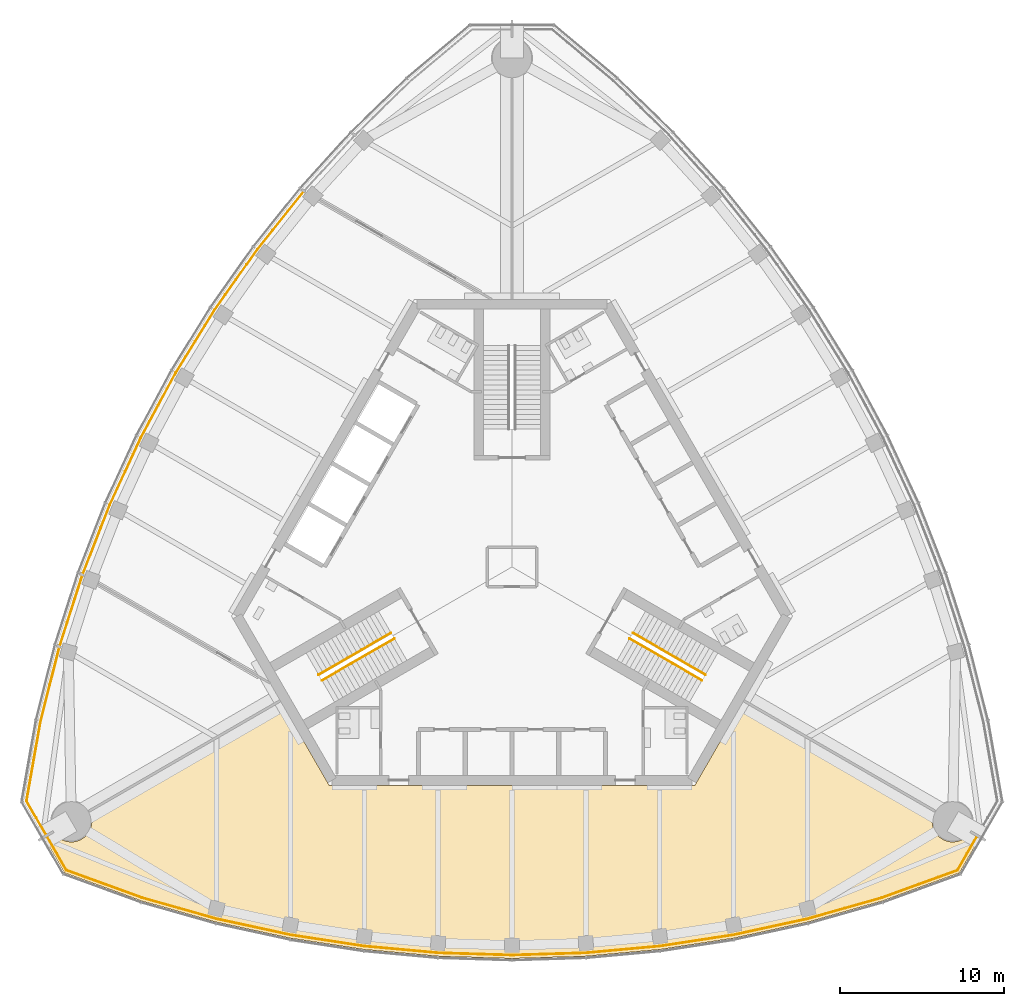
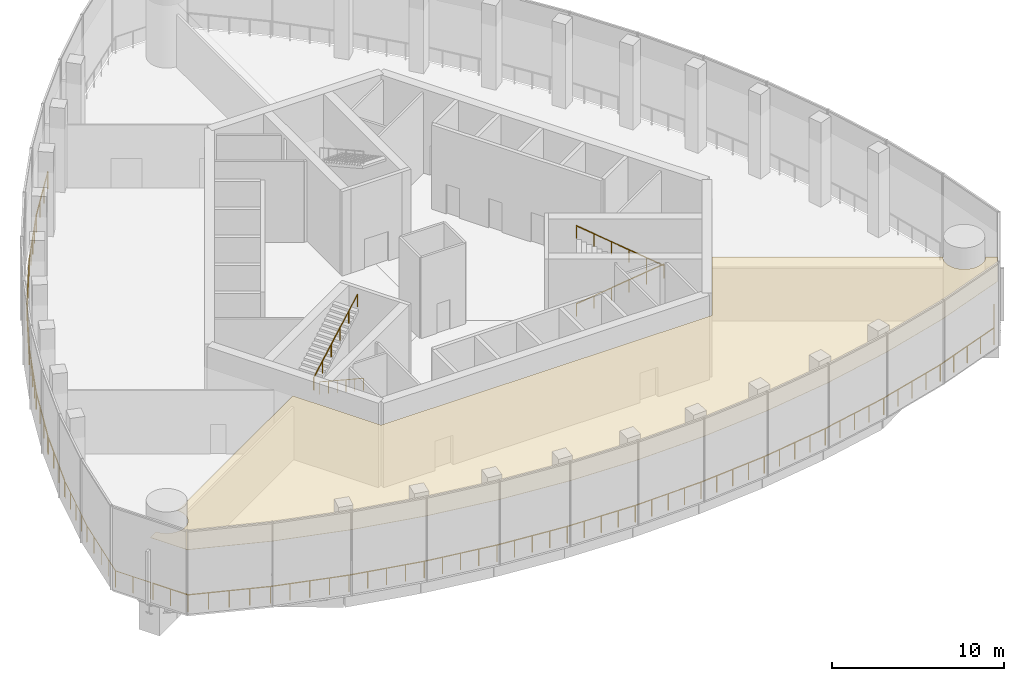
# One storey, part 12 of 15: 8 railings, 1 covering.
"""IFC4 building model written with IfcOpenShell, lengths in metres."""

from ifc_helpers import new_model, si_unit, direction, frame, origin, origin_2d, place, context, subcontext, project, spatial, polyline, circle, outline, extrude, material, layer, layer_set, type_object, element, save


model = new_model("IFC4")

# Units and contexts
model_context = context("Model", 3, precision=1e-05, world=origin(), true_north=direction((0.0, 1.0)))
body_context = subcontext(model_context, "Body", "Model", "MODEL_VIEW")
ifc_project = project(units=[si_unit("LENGTHUNIT", "METRE"), si_unit("AREAUNIT", "SQUARE_METRE"), si_unit("VOLUMEUNIT", "CUBIC_METRE"), si_unit("PLANEANGLEUNIT", "RADIAN"), si_unit("MASSUNIT", "GRAM", prefix="KILO")], contexts=[model_context])

# Site, building, storey
site_placement = place(None, origin())
site = spatial("IfcSite", under=ifc_project, at=site_placement, CompositionType="ELEMENT")
building_placement = place(site_placement, origin())
building = spatial("IfcBuilding", under=site, at=building_placement, Name="Trefoil Bronze Tower", CompositionType="ELEMENT")
storey_placement = place(building_placement, frame((0.0, 0.0, 322.5)))
storey = spatial("IfcBuildingStorey", under=building, at=storey_placement, Name="L74", CompositionType="ELEMENT", Elevation=322.5)

# Covering
ifc_material_1 = material(Name="Bronze metal ceiling panels", Category="metal")
ifc_layer = layer(ifc_material_1, 0.02001953125)
ifc_layer_set = layer_set([ifc_layer], Name="Feature ceiling 20")
covering_type = type_object("IfcCoveringType", Name="Feature ceiling 20", PredefinedType="CEILING", material=ifc_layer_set)
covering_placement = place(storey_placement, frame((0.0, 0.0, 4.5)))
element("IfcCovering", 1, at=covering_placement, inside=storey, type_object=covering_type, Name="Ceiling L74-024", PredefinedType="CEILING", context=body_context, shape_type="SweptSolid", body=[
    extrude(outline(polyline([(-27.885986328125, -16.194580078125), (-27.850830078125, -16.24462890625), (-27.81298828125, -16.29296875), (-27.77294921875, -16.33935546875), (-27.730712890625, -16.3837890625), (-27.686279296875, -16.42626953125), (-27.639892578125, -16.46630859375), (-27.59130859375, -16.50390625), (-27.541259765625, -16.539306640625), (-27.489501953125, -16.572265625), (-27.43603515625, -16.602294921875), (-27.381103515625, -16.6298828125), (-27.3251953125, -16.65478515625), (-27.267822265625, -16.677001953125), (-27.209716796875, -16.6962890625), (-27.150390625, -16.71240234375), (-27.0908203125, -16.72607421875), (-27.0302734375, -16.736572265625), (-26.96923828125, -16.743896484375), (-26.908203125, -16.74853515625), (-26.8466796875, -16.75), (-26.785400390625, -16.74853515625), (-26.724365234375, -16.743896484375), (-26.663330078125, -16.736572265625), (-26.602783203125, -16.72607421875), (-26.543212890625, -16.71240234375), (-26.48388671875, -16.6962890625), (-26.42578125, -16.677001953125), (-26.368408203125, -16.65478515625), (-26.312255859375, -16.6298828125), (-26.257568359375, -16.602294921875), (-26.2041015625, -16.572265625), (-26.15234375, -16.539306640625), (-26.102294921875, -16.50390625), (-26.0537109375, -16.46630859375), (-26.00732421875, -16.42626953125), (-25.962890625, -16.3837890625), (-25.920654296875, -16.33935546875), (-25.880615234375, -16.29296875), (-25.8427734375, -16.24462890625), (-25.8076171875, -16.194580078125), (-25.774658203125, -16.142578125), (-25.744384765625, -16.089111328125), (-25.716796875, -16.034423828125), (-25.69189453125, -15.978515625), (-25.669921875, -15.921142578125), (-25.650634765625, -15.86279296875), (-25.63427734375, -15.8037109375), (-25.620849609375, -15.743896484375), (-25.6103515625, -15.683349609375), (-25.602783203125, -15.62255859375), (-25.598388671875, -15.561279296875), (-25.5966796875, -15.5), (-25.598388671875, -15.438720703125), (-25.602783203125, -15.37744140625), (-25.6103515625, -15.316650390625), (-25.620849609375, -15.256103515625), (-25.63427734375, -15.1962890625), (-25.650634765625, -15.13720703125), (-25.669921875, -15.078857421875), (-25.69189453125, -15.021484375), (-25.716796875, -14.965576171875), (-25.759033203125, -14.885009765625), (-14.11328125, -8.1552734375), (-11.142822265625, -13.300048828125), (11.142822265625, -13.300048828125), (14.11328125, -8.1552734375), (25.759033203125, -14.885009765625), (25.716796875, -14.965576171875), (25.69189453125, -15.021484375), (25.669921875, -15.078857421875), (25.650634765625, -15.13720703125), (25.63427734375, -15.1962890625), (25.620849609375, -15.256103515625), (25.6103515625, -15.316650390625), (25.602783203125, -15.37744140625), (25.598388671875, -15.438720703125), (25.5966796875, -15.5), (25.598388671875, -15.561279296875), (25.602783203125, -15.62255859375), (25.6103515625, -15.683349609375), (25.620849609375, -15.743896484375), (25.63427734375, -15.8037109375), (25.650634765625, -15.86279296875), (25.669921875, -15.921142578125), (25.69189453125, -15.978515625), (25.716796875, -16.034423828125), (25.744384765625, -16.089111328125), (25.774658203125, -16.142578125), (25.8076171875, -16.194580078125), (25.8427734375, -16.24462890625), (25.880615234375, -16.29296875), (25.920654296875, -16.33935546875), (25.962890625, -16.3837890625), (26.00732421875, -16.42626953125), (26.0537109375, -16.46630859375), (26.102294921875, -16.50390625), (26.15234375, -16.539306640625), (26.2041015625, -16.572265625), (26.257568359375, -16.602294921875), (26.312255859375, -16.6298828125), (26.368408203125, -16.65478515625), (26.42578125, -16.677001953125), (26.48388671875, -16.6962890625), (26.543212890625, -16.71240234375), (26.602783203125, -16.72607421875), (26.663330078125, -16.736572265625), (26.724365234375, -16.743896484375), (26.785400390625, -16.74853515625), (26.8466796875, -16.75), (26.908203125, -16.74853515625), (26.96923828125, -16.743896484375), (27.0302734375, -16.736572265625), (27.0908203125, -16.72607421875), (27.150390625, -16.71240234375), (27.209716796875, -16.6962890625), (27.267822265625, -16.677001953125), (27.3251953125, -16.65478515625), (27.381103515625, -16.6298828125), (27.43603515625, -16.602294921875), (27.489501953125, -16.572265625), (27.541259765625, -16.539306640625), (27.59130859375, -16.50390625), (27.639892578125, -16.46630859375), (27.686279296875, -16.42626953125), (27.730712890625, -16.3837890625), (27.77294921875, -16.33935546875), (27.81298828125, -16.29296875), (27.850830078125, -16.24462890625), (27.885986328125, -16.194580078125), (27.923095703125, -16.135498046875), (28.510009765625, -16.474609375), (27.26220703125, -18.635986328125), (22.54833984375, -20.3515625), (18.0, -21.640869140625), (13.5, -22.6162109375), (9.0, -23.30517578125), (4.5, -23.71533203125), (0.0, -23.8515625), (-4.5, -23.71533203125), (-9.0, -23.30517578125), (-13.5, -22.6162109375), (-18.0, -21.640869140625), (-22.54833984375, -20.3515625), (-27.26220703125, -18.635986328125), (-28.510009765625, -16.474609375), (-27.923095703125, -16.135498046875), (-27.885986328125, -16.194580078125)])), origin(), (0.0, 0.0, 1.0), 0.02001953125),
])

# Railings
ifc_material_2 = material(Name="Bronze-finish steel guard rail and posts", Category="steel")
railing_type_1 = type_object("IfcRailingType", Name="Glazing guard 1200", PredefinedType="GUARDRAIL", material=ifc_material_2)
railing_1_placement = place(storey_placement, frame((-26.1865234375, -0.556396484375, 0.0)))
element("IfcRailing", 2, at=railing_1_placement, inside=storey, type_object=railing_type_1, Name="Glazing guard L74.1", PredefinedType="GUARDRAIL", context=body_context, shape_type="SweptSolid", body=[
    extrude(circle(Radius=0.02392578125, at=origin_2d()), frame((0.0, 0.0, 1.17578125), z_axis=(-0.305197637191, -0.952289032938, 0.0), x_axis=(0.952289032938, -0.305197637191, 0.0)), (0.0, 0.0, 1.0), 4.450927734375),
    extrude(circle(Radius=0.02099609375, at=origin_2d()), origin(), (0.0, 0.0, 1.0), 1.15185546875),
    extrude(circle(Radius=0.02099609375, at=origin_2d()), frame((-0.452880859375, -1.412841796875, 0.0)), (0.0, 0.0, 1.0), 1.15185546875),
    extrude(circle(Radius=0.02099609375, at=origin_2d()), frame((-0.905517578125, -2.82568359375, 0.0)), (0.0, 0.0, 1.0), 1.15185546875),
    extrude(circle(Radius=0.02099609375, at=origin_2d()), frame((-1.3583984375, -4.238525390625, 0.0)), (0.0, 0.0, 1.0), 1.15185546875),
])
railing_2_placement = place(storey_placement, frame((-27.58740234375, -4.943603515625, 0.0)))
element("IfcRailing", 3, at=railing_2_placement, inside=storey, type_object=railing_type_1, Name="Glazing guard L74.2", PredefinedType="GUARDRAIL", context=body_context, shape_type="SweptSolid", body=[
    extrude(circle(Radius=0.02392578125, at=origin_2d()), frame((0.0, 0.0, 1.17578125), z_axis=(-0.244845293905, -0.969562159974, 0.0), x_axis=(0.969562159974, -0.244845293905, 0.0)), (0.0, 0.0, 1.0), 4.649658203125),
    extrude(circle(Radius=0.02392578125, at=origin_2d()), frame((-1.138427734375, -4.508056640625, 1.17578125), z_axis=(-0.173674011699, -0.984803197426, 0.0), x_axis=(0.984803197426, -0.173674011699, 0.0)), (0.0, 0.0, 1.0), 4.87939453125),
    extrude(circle(Radius=0.02392578125, at=origin_2d()), frame((-1.98583984375, -9.313232421875, 1.17578125), z_axis=(0.499969694265, -0.866042900102, 0.0), x_axis=(0.866042900102, 0.499969694265, 0.0)), (0.0, 0.0, 1.0), 2.364990234375),
    extrude(circle(Radius=0.02099609375, at=origin_2d()), origin(), (0.0, 0.0, 1.0), 1.15185546875),
    extrude(circle(Radius=0.02099609375, at=origin_2d()), frame((-0.28466796875, -1.126953125, 0.0)), (0.0, 0.0, 1.0), 1.15185546875),
    extrude(circle(Radius=0.02099609375, at=origin_2d()), frame((-0.5693359375, -2.25390625, 0.0)), (0.0, 0.0, 1.0), 1.15185546875),
    extrude(circle(Radius=0.02099609375, at=origin_2d()), frame((-0.853759765625, -3.381103515625, 0.0)), (0.0, 0.0, 1.0), 1.15185546875),
    extrude(circle(Radius=0.02099609375, at=origin_2d()), frame((-1.138427734375, -4.508056640625, 0.0)), (0.0, 0.0, 1.0), 1.15185546875),
    extrude(circle(Radius=0.02099609375, at=origin_2d()), frame((-1.350341796875, -5.70947265625, 0.0)), (0.0, 0.0, 1.0), 1.15185546875),
    extrude(circle(Radius=0.02099609375, at=origin_2d()), frame((-1.56201171875, -6.91064453125, 0.0)), (0.0, 0.0, 1.0), 1.15185546875),
    extrude(circle(Radius=0.02099609375, at=origin_2d()), frame((-1.77392578125, -8.11181640625, 0.0)), (0.0, 0.0, 1.0), 1.15185546875),
    extrude(circle(Radius=0.02099609375, at=origin_2d()), frame((-1.98583984375, -9.313232421875, 0.0)), (0.0, 0.0, 1.0), 1.15185546875),
    extrude(circle(Radius=0.02099609375, at=origin_2d()), frame((-1.39453125, -10.33740234375, 0.0)), (0.0, 0.0, 1.0), 1.15185546875),
    extrude(circle(Radius=0.02099609375, at=origin_2d()), frame((-0.803466796875, -11.361328125, 0.0)), (0.0, 0.0, 1.0), 1.15185546875),
])
railing_3_placement = place(storey_placement, frame((-28.31591796875, -16.434814453125, 0.0)))
element("IfcRailing", 4, at=railing_3_placement, inside=storey, type_object=railing_type_1, Name="Glazing guard L74.3", PredefinedType="GUARDRAIL", context=body_context, shape_type="SweptSolid", body=[
    extrude(circle(Radius=0.02392578125, at=origin_2d()), frame((0.0, 0.0, 1.17578125), z_axis=(0.500014398087, -0.866017090885, 0.0), x_axis=(0.866017090885, 0.500014398087, 0.0)), (0.0, 0.0, 1.0), 2.36474609375),
    extrude(circle(Radius=0.02392578125, at=origin_2d()), frame((1.182373046875, -2.0478515625, 1.17578125), z_axis=(0.939688198053, -0.342032294441, 0.0), x_axis=(0.342032294441, 0.939688198053, 0.0)), (0.0, 0.0, 1.0), 4.87939453125),
    extrude(circle(Radius=0.02392578125, at=origin_2d()), frame((5.767578125, -3.716796875, 1.17578125), z_axis=(0.962092857379, -0.272722081579, 0.0), x_axis=(0.272722081579, 0.962092857379, 0.0)), (0.0, 0.0, 1.0), 4.7275390625),
    extrude(circle(Radius=0.02392578125, at=origin_2d()), frame((10.31591796875, -5.006103515625, 1.17578125), z_axis=(0.977307775185, -0.211824249233, 0.0), x_axis=(0.211824249233, 0.977307775185, 0.0)), (0.0, 0.0, 1.0), 4.6044921875),
    extrude(circle(Radius=0.02392578125, at=origin_2d()), frame((14.81591796875, -5.9814453125, 1.17578125), z_axis=(0.988481794406, -0.151339823341, 0.0), x_axis=(0.151339823341, 0.988481794406, 0.0)), (0.0, 0.0, 1.0), 4.552490234375),
    extrude(circle(Radius=0.02392578125, at=origin_2d()), frame((19.31591796875, -6.67041015625, 1.17578125), z_axis=(0.995871921504, -0.090769576179, 0.0), x_axis=(0.090769576179, 0.995871921504, 0.0)), (0.0, 0.0, 1.0), 4.5185546875),
    extrude(circle(Radius=0.02392578125, at=origin_2d()), frame((23.81591796875, -7.08056640625, 1.17578125), z_axis=(0.999542074227, -0.030259574513, 0.0), x_axis=(0.030259574513, 0.999542074227, 0.0)), (0.0, 0.0, 1.0), 4.501953125),
    extrude(circle(Radius=0.02392578125, at=origin_2d()), frame((28.31591796875, -7.216796875, 1.17578125), z_axis=(0.999542074227, 0.030259574513, 0.0), x_axis=(-0.030259574513, 0.999542074227, 0.0)), (0.0, 0.0, 1.0), 4.501953125),
    extrude(circle(Radius=0.02392578125, at=origin_2d()), frame((32.81591796875, -7.08056640625, 1.17578125), z_axis=(0.995871921504, 0.090769576179, 0.0), x_axis=(-0.090769576179, 0.995871921504, 0.0)), (0.0, 0.0, 1.0), 4.5185546875),
    extrude(circle(Radius=0.02392578125, at=origin_2d()), frame((37.31591796875, -6.67041015625, 1.17578125), z_axis=(0.988481794406, 0.151339823341, 0.0), x_axis=(-0.151339823341, 0.988481794406, 0.0)), (0.0, 0.0, 1.0), 4.552490234375),
    extrude(circle(Radius=0.02392578125, at=origin_2d()), frame((41.81591796875, -5.9814453125, 1.17578125), z_axis=(0.977307775185, 0.211824249233, 0.0), x_axis=(-0.211824249233, 0.977307775185, 0.0)), (0.0, 0.0, 1.0), 4.6044921875),
    extrude(circle(Radius=0.02392578125, at=origin_2d()), frame((46.31591796875, -5.006103515625, 1.17578125), z_axis=(0.962092857379, 0.272722081579, 0.0), x_axis=(-0.272722081579, 0.962092857379, 0.0)), (0.0, 0.0, 1.0), 4.7275390625),
    extrude(circle(Radius=0.02392578125, at=origin_2d()), frame((50.8642578125, -3.716796875, 1.17578125), z_axis=(0.939688198053, 0.342032294441, 0.0), x_axis=(-0.342032294441, 0.939688198053, 0.0)), (0.0, 0.0, 1.0), 4.87939453125),
    extrude(circle(Radius=0.02392578125, at=origin_2d()), frame((55.449462890625, -2.0478515625, 1.17578125), z_axis=(0.500014398087, 0.866017090885, 0.0), x_axis=(-0.866017090885, 0.500014398087, 0.0)), (0.0, 0.0, 1.0), 2.36474609375),
    extrude(circle(Radius=0.02099609375, at=origin_2d()), origin(), (0.0, 0.0, 1.0), 1.15185546875),
    extrude(circle(Radius=0.02099609375, at=origin_2d()), frame((0.59130859375, -1.02392578125, 0.0)), (0.0, 0.0, 1.0), 1.15185546875),
    extrude(circle(Radius=0.02099609375, at=origin_2d()), frame((1.182373046875, -2.0478515625, 0.0)), (0.0, 0.0, 1.0), 1.15185546875),
    extrude(circle(Radius=0.02099609375, at=origin_2d()), frame((2.32861328125, -2.465087890625, 0.0)), (0.0, 0.0, 1.0), 1.15185546875),
    extrude(circle(Radius=0.02099609375, at=origin_2d()), frame((3.47509765625, -2.88232421875, 0.0)), (0.0, 0.0, 1.0), 1.15185546875),
    extrude(circle(Radius=0.02099609375, at=origin_2d()), frame((4.621337890625, -3.299560546875, 0.0)), (0.0, 0.0, 1.0), 1.15185546875),
    extrude(circle(Radius=0.02099609375, at=origin_2d()), frame((5.767578125, -3.716796875, 0.0)), (0.0, 0.0, 1.0), 1.15185546875),
    extrude(circle(Radius=0.02099609375, at=origin_2d()), frame((6.90478515625, -4.0390625, 0.0)), (0.0, 0.0, 1.0), 1.15185546875),
    extrude(circle(Radius=0.02099609375, at=origin_2d()), frame((8.041748046875, -4.361328125, 0.0)), (0.0, 0.0, 1.0), 1.15185546875),
    extrude(circle(Radius=0.02099609375, at=origin_2d()), frame((9.1787109375, -4.683837890625, 0.0)), (0.0, 0.0, 1.0), 1.15185546875),
    extrude(circle(Radius=0.02099609375, at=origin_2d()), frame((10.31591796875, -5.006103515625, 0.0)), (0.0, 0.0, 1.0), 1.15185546875),
    extrude(circle(Radius=0.02099609375, at=origin_2d()), frame((11.44091796875, -5.25, 0.0)), (0.0, 0.0, 1.0), 1.15185546875),
    extrude(circle(Radius=0.02099609375, at=origin_2d()), frame((12.56591796875, -5.49365234375, 0.0)), (0.0, 0.0, 1.0), 1.15185546875),
    extrude(circle(Radius=0.02099609375, at=origin_2d()), frame((13.69091796875, -5.737548828125, 0.0)), (0.0, 0.0, 1.0), 1.15185546875),
    extrude(circle(Radius=0.02099609375, at=origin_2d()), frame((14.81591796875, -5.9814453125, 0.0)), (0.0, 0.0, 1.0), 1.15185546875),
    extrude(circle(Radius=0.02099609375, at=origin_2d()), frame((15.94091796875, -6.15380859375, 0.0)), (0.0, 0.0, 1.0), 1.15185546875),
    extrude(circle(Radius=0.02099609375, at=origin_2d()), frame((17.06591796875, -6.325927734375, 0.0)), (0.0, 0.0, 1.0), 1.15185546875),
    extrude(circle(Radius=0.02099609375, at=origin_2d()), frame((18.19091796875, -6.498046875, 0.0)), (0.0, 0.0, 1.0), 1.15185546875),
    extrude(circle(Radius=0.02099609375, at=origin_2d()), frame((19.31591796875, -6.67041015625, 0.0)), (0.0, 0.0, 1.0), 1.15185546875),
    extrude(circle(Radius=0.02099609375, at=origin_2d()), frame((20.44091796875, -6.77294921875, 0.0)), (0.0, 0.0, 1.0), 1.15185546875),
    extrude(circle(Radius=0.02099609375, at=origin_2d()), frame((21.56591796875, -6.87548828125, 0.0)), (0.0, 0.0, 1.0), 1.15185546875),
    extrude(circle(Radius=0.02099609375, at=origin_2d()), frame((22.69091796875, -6.97802734375, 0.0)), (0.0, 0.0, 1.0), 1.15185546875),
    extrude(circle(Radius=0.02099609375, at=origin_2d()), frame((23.81591796875, -7.08056640625, 0.0)), (0.0, 0.0, 1.0), 1.15185546875),
    extrude(circle(Radius=0.02099609375, at=origin_2d()), frame((24.94091796875, -7.11474609375, 0.0)), (0.0, 0.0, 1.0), 1.15185546875),
    extrude(circle(Radius=0.02099609375, at=origin_2d()), frame((26.06591796875, -7.148681640625, 0.0)), (0.0, 0.0, 1.0), 1.15185546875),
    extrude(circle(Radius=0.02099609375, at=origin_2d()), frame((27.19091796875, -7.1826171875, 0.0)), (0.0, 0.0, 1.0), 1.15185546875),
    extrude(circle(Radius=0.02099609375, at=origin_2d()), frame((28.31591796875, -7.216796875, 0.0)), (0.0, 0.0, 1.0), 1.15185546875),
    extrude(circle(Radius=0.02099609375, at=origin_2d()), frame((29.44091796875, -7.1826171875, 0.0)), (0.0, 0.0, 1.0), 1.15185546875),
    extrude(circle(Radius=0.02099609375, at=origin_2d()), frame((30.56591796875, -7.148681640625, 0.0)), (0.0, 0.0, 1.0), 1.15185546875),
    extrude(circle(Radius=0.02099609375, at=origin_2d()), frame((31.69091796875, -7.11474609375, 0.0)), (0.0, 0.0, 1.0), 1.15185546875),
    extrude(circle(Radius=0.02099609375, at=origin_2d()), frame((32.81591796875, -7.08056640625, 0.0)), (0.0, 0.0, 1.0), 1.15185546875),
    extrude(circle(Radius=0.02099609375, at=origin_2d()), frame((33.94091796875, -6.97802734375, 0.0)), (0.0, 0.0, 1.0), 1.15185546875),
    extrude(circle(Radius=0.02099609375, at=origin_2d()), frame((35.06591796875, -6.87548828125, 0.0)), (0.0, 0.0, 1.0), 1.15185546875),
    extrude(circle(Radius=0.02099609375, at=origin_2d()), frame((36.19091796875, -6.77294921875, 0.0)), (0.0, 0.0, 1.0), 1.15185546875),
    extrude(circle(Radius=0.02099609375, at=origin_2d()), frame((37.31591796875, -6.67041015625, 0.0)), (0.0, 0.0, 1.0), 1.15185546875),
    extrude(circle(Radius=0.02099609375, at=origin_2d()), frame((38.44091796875, -6.498046875, 0.0)), (0.0, 0.0, 1.0), 1.15185546875),
    extrude(circle(Radius=0.02099609375, at=origin_2d()), frame((39.56591796875, -6.325927734375, 0.0)), (0.0, 0.0, 1.0), 1.15185546875),
    extrude(circle(Radius=0.02099609375, at=origin_2d()), frame((40.69091796875, -6.15380859375, 0.0)), (0.0, 0.0, 1.0), 1.15185546875),
    extrude(circle(Radius=0.02099609375, at=origin_2d()), frame((41.81591796875, -5.9814453125, 0.0)), (0.0, 0.0, 1.0), 1.15185546875),
    extrude(circle(Radius=0.02099609375, at=origin_2d()), frame((42.94091796875, -5.737548828125, 0.0)), (0.0, 0.0, 1.0), 1.15185546875),
    extrude(circle(Radius=0.02099609375, at=origin_2d()), frame((44.06591796875, -5.49365234375, 0.0)), (0.0, 0.0, 1.0), 1.15185546875),
    extrude(circle(Radius=0.02099609375, at=origin_2d()), frame((45.19091796875, -5.25, 0.0)), (0.0, 0.0, 1.0), 1.15185546875),
    extrude(circle(Radius=0.02099609375, at=origin_2d()), frame((46.31591796875, -5.006103515625, 0.0)), (0.0, 0.0, 1.0), 1.15185546875),
    extrude(circle(Radius=0.02099609375, at=origin_2d()), frame((47.453125, -4.683837890625, 0.0)), (0.0, 0.0, 1.0), 1.15185546875),
    extrude(circle(Radius=0.02099609375, at=origin_2d()), frame((48.590087890625, -4.361328125, 0.0)), (0.0, 0.0, 1.0), 1.15185546875),
    extrude(circle(Radius=0.02099609375, at=origin_2d()), frame((49.72705078125, -4.0390625, 0.0)), (0.0, 0.0, 1.0), 1.15185546875),
    extrude(circle(Radius=0.02099609375, at=origin_2d()), frame((50.8642578125, -3.716796875, 0.0)), (0.0, 0.0, 1.0), 1.15185546875),
    extrude(circle(Radius=0.02099609375, at=origin_2d()), frame((52.010498046875, -3.299560546875, 0.0)), (0.0, 0.0, 1.0), 1.15185546875),
    extrude(circle(Radius=0.02099609375, at=origin_2d()), frame((53.15673828125, -2.88232421875, 0.0)), (0.0, 0.0, 1.0), 1.15185546875),
    extrude(circle(Radius=0.02099609375, at=origin_2d()), frame((54.30322265625, -2.465087890625, 0.0)), (0.0, 0.0, 1.0), 1.15185546875),
    extrude(circle(Radius=0.02099609375, at=origin_2d()), frame((55.449462890625, -2.0478515625, 0.0)), (0.0, 0.0, 1.0), 1.15185546875),
    extrude(circle(Radius=0.02099609375, at=origin_2d()), frame((56.04052734375, -1.02392578125, 0.0)), (0.0, 0.0, 1.0), 1.15185546875),
    extrude(circle(Radius=0.02099609375, at=origin_2d()), frame((56.6318359375, 0.0, 0.0)), (0.0, 0.0, 1.0), 1.15185546875),
])
railing_4_placement = place(storey_placement, frame((-12.71044921875, 22.84033203125, 0.0)))
element("IfcRailing", 5, at=railing_4_placement, inside=storey, type_object=railing_type_1, Name="Glazing guard L74.7", PredefinedType="GUARDRAIL", context=body_context, shape_type="SweptSolid", body=[
    extrude(circle(Radius=0.02392578125, at=origin_2d()), frame((0.0, 0.0, 1.17578125), z_axis=(-0.625260200528, -0.780416351466, 0.0), x_axis=(0.780416351466, -0.625260200528, 0.0)), (0.0, 0.0, 1.0), 4.4765625),
    extrude(circle(Radius=0.02392578125, at=origin_2d()), frame((-2.799072265625, -3.49365234375, 1.17578125), z_axis=(-0.576598345124, -0.817027752527, 0.0), x_axis=(0.817027752527, -0.576598345124, 0.0)), (0.0, 0.0, 1.0), 4.518798828125),
    extrude(circle(Radius=0.02392578125, at=origin_2d()), frame((-5.404541015625, -7.185546875, 1.17578125), z_axis=(-0.525956915034, -0.850511213052, 0.0), x_axis=(0.850511213052, -0.525956915034, 0.0)), (0.0, 0.0, 1.0), 4.502197265625),
    extrude(circle(Radius=0.02392578125, at=origin_2d()), frame((-7.7724609375, -11.0146484375, 1.17578125), z_axis=(-0.473588789092, -0.880746080801, 0.0), x_axis=(0.880746080801, -0.473588789092, 0.0)), (0.0, 0.0, 1.0), 4.501953125),
    extrude(circle(Radius=0.02392578125, at=origin_2d()), frame((-9.904541015625, -14.979736328125, 1.17578125), z_axis=(-0.419270595022, -0.907861315483, 0.0), x_axis=(0.907861315483, -0.419270595022, 0.0)), (0.0, 0.0, 1.0), 4.5185546875),
    extrude(circle(Radius=0.02392578125, at=origin_2d()), frame((-11.799072265625, -19.08203125, 1.17578125), z_axis=(-0.363214623344, -0.93170549928, 0.0), x_axis=(0.93170549928, -0.363214623344, 0.0)), (0.0, 0.0, 1.0), 4.4765625),
    extrude(circle(Radius=0.02099609375, at=origin_2d()), origin(), (0.0, 0.0, 1.0), 1.15185546875),
    extrude(circle(Radius=0.02099609375, at=origin_2d()), frame((-0.93310546875, -1.16455078125, 0.0)), (0.0, 0.0, 1.0), 1.15185546875),
    extrude(circle(Radius=0.02099609375, at=origin_2d()), frame((-1.865966796875, -2.3291015625, 0.0)), (0.0, 0.0, 1.0), 1.15185546875),
    extrude(circle(Radius=0.02099609375, at=origin_2d()), frame((-2.799072265625, -3.49365234375, 0.0)), (0.0, 0.0, 1.0), 1.15185546875),
    extrude(circle(Radius=0.02099609375, at=origin_2d()), frame((-3.450439453125, -4.41650390625, 0.0)), (0.0, 0.0, 1.0), 1.15185546875),
    extrude(circle(Radius=0.02099609375, at=origin_2d()), frame((-4.101806640625, -5.339599609375, 0.0)), (0.0, 0.0, 1.0), 1.15185546875),
    extrude(circle(Radius=0.02099609375, at=origin_2d()), frame((-4.753173828125, -6.2626953125, 0.0)), (0.0, 0.0, 1.0), 1.15185546875),
    extrude(circle(Radius=0.02099609375, at=origin_2d()), frame((-5.404541015625, -7.185546875, 0.0)), (0.0, 0.0, 1.0), 1.15185546875),
    extrude(circle(Radius=0.02099609375, at=origin_2d()), frame((-5.99658203125, -8.142822265625, 0.0)), (0.0, 0.0, 1.0), 1.15185546875),
    extrude(circle(Radius=0.02099609375, at=origin_2d()), frame((-6.58837890625, -9.10009765625, 0.0)), (0.0, 0.0, 1.0), 1.15185546875),
    extrude(circle(Radius=0.02099609375, at=origin_2d()), frame((-7.180419921875, -10.057373046875, 0.0)), (0.0, 0.0, 1.0), 1.15185546875),
    extrude(circle(Radius=0.02099609375, at=origin_2d()), frame((-7.7724609375, -11.0146484375, 0.0)), (0.0, 0.0, 1.0), 1.15185546875),
    extrude(circle(Radius=0.02099609375, at=origin_2d()), frame((-8.305419921875, -12.005859375, 0.0)), (0.0, 0.0, 1.0), 1.15185546875),
    extrude(circle(Radius=0.02099609375, at=origin_2d()), frame((-8.83837890625, -12.9970703125, 0.0)), (0.0, 0.0, 1.0), 1.15185546875),
    extrude(circle(Radius=0.02099609375, at=origin_2d()), frame((-9.37158203125, -13.988525390625, 0.0)), (0.0, 0.0, 1.0), 1.15185546875),
    extrude(circle(Radius=0.02099609375, at=origin_2d()), frame((-9.904541015625, -14.979736328125, 0.0)), (0.0, 0.0, 1.0), 1.15185546875),
    extrude(circle(Radius=0.02099609375, at=origin_2d()), frame((-10.378173828125, -16.00537109375, 0.0)), (0.0, 0.0, 1.0), 1.15185546875),
    extrude(circle(Radius=0.02099609375, at=origin_2d()), frame((-10.851806640625, -17.03076171875, 0.0)), (0.0, 0.0, 1.0), 1.15185546875),
    extrude(circle(Radius=0.02099609375, at=origin_2d()), frame((-11.325439453125, -18.056396484375, 0.0)), (0.0, 0.0, 1.0), 1.15185546875),
    extrude(circle(Radius=0.02099609375, at=origin_2d()), frame((-11.799072265625, -19.08203125, 0.0)), (0.0, 0.0, 1.0), 1.15185546875),
    extrude(circle(Radius=0.02099609375, at=origin_2d()), frame((-12.341064453125, -20.472412109375, 0.0)), (0.0, 0.0, 1.0), 1.15185546875),
    extrude(circle(Radius=0.02099609375, at=origin_2d()), frame((-12.883056640625, -21.862548828125, 0.0)), (0.0, 0.0, 1.0), 1.15185546875),
    extrude(circle(Radius=0.02099609375, at=origin_2d()), frame((-13.425048828125, -23.2529296875, 0.0)), (0.0, 0.0, 1.0), 1.15185546875),
])
ifc_material_3 = material(Name="Steel handrail", Category="steel")
railing_type_2 = type_object("IfcRailingType", Name="Handrail 900", PredefinedType="HANDRAIL", material=ifc_material_3)
railing_5_placement = place(storey_placement, frame((7.365966796875, -4.021728515625, 0.166748046875)))
element("IfcRailing", 6, at=railing_5_placement, inside=storey, type_object=railing_type_2, Name="Handrail ST1 flight 1 L74", PredefinedType="HANDRAIL", context=body_context, shape_type="SweptSolid", body=[
    extrude(circle(Radius=0.02392578125, at=origin_2d()), frame((0.0, 0.0, 0.8759765625), z_axis=(0.757046119685, -0.437087320773, 0.485629330548), x_axis=(0.500005610874, 0.86602216432, 0.0)), (0.0, 0.0, 1.0), 5.834228515625),
    extrude(circle(Radius=0.02099609375, at=origin_2d()), origin(), (0.0, 0.0, 1.0), 0.851806640625),
    extrude(circle(Radius=0.02099609375, at=origin_2d()), frame((0.88330078125, -0.510009765625, 0.566650390625)), (0.0, 0.0, 1.0), 0.851806640625),
    extrude(circle(Radius=0.02099609375, at=origin_2d()), frame((1.7666015625, -1.02001953125, 1.13330078125)), (0.0, 0.0, 1.0), 0.851806640625),
    extrude(circle(Radius=0.02099609375, at=origin_2d()), frame((2.650146484375, -1.530029296875, 1.699951171875)), (0.0, 0.0, 1.0), 0.851806640625),
    extrude(circle(Radius=0.02099609375, at=origin_2d()), frame((3.533447265625, -2.0400390625, 2.2666015625)), (0.0, 0.0, 1.0), 0.851806640625),
    extrude(circle(Radius=0.02099609375, at=origin_2d()), frame((4.416748046875, -2.550048828125, 2.833251953125)), (0.0, 0.0, 1.0), 0.851806640625),
])
railing_6_placement = place(storey_placement, frame((11.582763671875, -6.918212890625, 3.166748046875)))
element("IfcRailing", 7, at=railing_6_placement, inside=storey, type_object=railing_type_2, Name="Handrail ST1 flight 2 L74", PredefinedType="HANDRAIL", context=body_context, shape_type="SweptSolid", body=[
    extrude(circle(Radius=0.02392578125, at=origin_2d()), frame((0.0, 0.0, 0.8759765625), z_axis=(-0.757046119685, 0.437087320773, 0.485629330548), x_axis=(-0.500005610874, -0.86602216432, 0.0)), (0.0, 0.0, 1.0), 5.834228515625),
    extrude(circle(Radius=0.02099609375, at=origin_2d()), origin(), (0.0, 0.0, 1.0), 0.851806640625),
    extrude(circle(Radius=0.02099609375, at=origin_2d()), frame((-0.88330078125, 0.510009765625, 0.566650390625)), (0.0, 0.0, 1.0), 0.851806640625),
    extrude(circle(Radius=0.02099609375, at=origin_2d()), frame((-1.7666015625, 1.02001953125, 1.13330078125)), (0.0, 0.0, 1.0), 0.851806640625),
    extrude(circle(Radius=0.02099609375, at=origin_2d()), frame((-2.650146484375, 1.530029296875, 1.699951171875)), (0.0, 0.0, 1.0), 0.851806640625),
    extrude(circle(Radius=0.02099609375, at=origin_2d()), frame((-3.533447265625, 2.0400390625, 2.2666015625)), (0.0, 0.0, 1.0), 0.851806640625),
    extrude(circle(Radius=0.02099609375, at=origin_2d()), frame((-4.416748046875, 2.550048828125, 2.833251953125)), (0.0, 0.0, 1.0), 0.851806640625),
])
railing_7_placement = place(storey_placement, frame((-7.166015625, -4.3681640625, 0.166748046875)))
element("IfcRailing", 8, at=railing_7_placement, inside=storey, type_object=railing_type_2, Name="Handrail ST3 flight 1 L74", PredefinedType="HANDRAIL", context=body_context, shape_type="SweptSolid", body=[
    extrude(circle(Radius=0.02392578125, at=origin_2d()), frame((0.0, 0.0, 0.8759765625), z_axis=(-0.757046119685, -0.437087320773, 0.485629330548), x_axis=(0.500005610874, -0.86602216432, 0.0)), (0.0, 0.0, 1.0), 5.834228515625),
    extrude(circle(Radius=0.02099609375, at=origin_2d()), origin(), (0.0, 0.0, 1.0), 0.851806640625),
    extrude(circle(Radius=0.02099609375, at=origin_2d()), frame((-0.88330078125, -0.510009765625, 0.566650390625)), (0.0, 0.0, 1.0), 0.851806640625),
    extrude(circle(Radius=0.02099609375, at=origin_2d()), frame((-1.7666015625, -1.02001953125, 1.13330078125)), (0.0, 0.0, 1.0), 0.851806640625),
    extrude(circle(Radius=0.02099609375, at=origin_2d()), frame((-2.650146484375, -1.530029296875, 1.699951171875)), (0.0, 0.0, 1.0), 0.851806640625),
    extrude(circle(Radius=0.02099609375, at=origin_2d()), frame((-3.533447265625, -2.0400390625, 2.2666015625)), (0.0, 0.0, 1.0), 0.851806640625),
    extrude(circle(Radius=0.02099609375, at=origin_2d()), frame((-4.416748046875, -2.550048828125, 2.833251953125)), (0.0, 0.0, 1.0), 0.851806640625),
])
railing_8_placement = place(storey_placement, frame((-11.78271484375, -6.57177734375, 3.166748046875)))
element("IfcRailing", 9, at=railing_8_placement, inside=storey, type_object=railing_type_2, Name="Handrail ST3 flight 2 L74", PredefinedType="HANDRAIL", context=body_context, shape_type="SweptSolid", body=[
    extrude(circle(Radius=0.02392578125, at=origin_2d()), frame((0.0, 0.0, 0.8759765625), z_axis=(0.757046119685, 0.437087320773, 0.485629330548), x_axis=(-0.500005610874, 0.86602216432, 0.0)), (0.0, 0.0, 1.0), 5.834228515625),
    extrude(circle(Radius=0.02099609375, at=origin_2d()), origin(), (0.0, 0.0, 1.0), 0.851806640625),
    extrude(circle(Radius=0.02099609375, at=origin_2d()), frame((0.88330078125, 0.510009765625, 0.566650390625)), (0.0, 0.0, 1.0), 0.851806640625),
    extrude(circle(Radius=0.02099609375, at=origin_2d()), frame((1.7666015625, 1.02001953125, 1.13330078125)), (0.0, 0.0, 1.0), 0.851806640625),
    extrude(circle(Radius=0.02099609375, at=origin_2d()), frame((2.650146484375, 1.530029296875, 1.699951171875)), (0.0, 0.0, 1.0), 0.851806640625),
    extrude(circle(Radius=0.02099609375, at=origin_2d()), frame((3.533447265625, 2.0400390625, 2.2666015625)), (0.0, 0.0, 1.0), 0.851806640625),
    extrude(circle(Radius=0.02099609375, at=origin_2d()), frame((4.416748046875, 2.550048828125, 2.833251953125)), (0.0, 0.0, 1.0), 0.851806640625),
])

save(model, "model.ifc")
